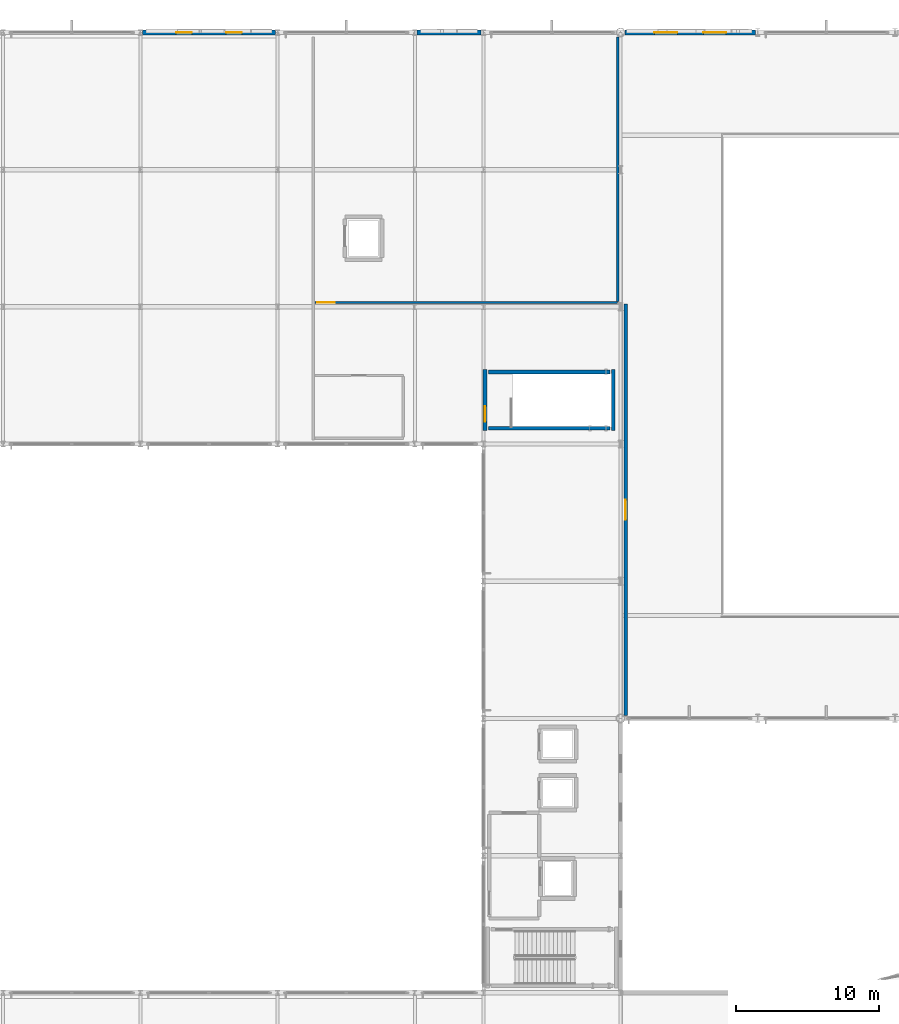
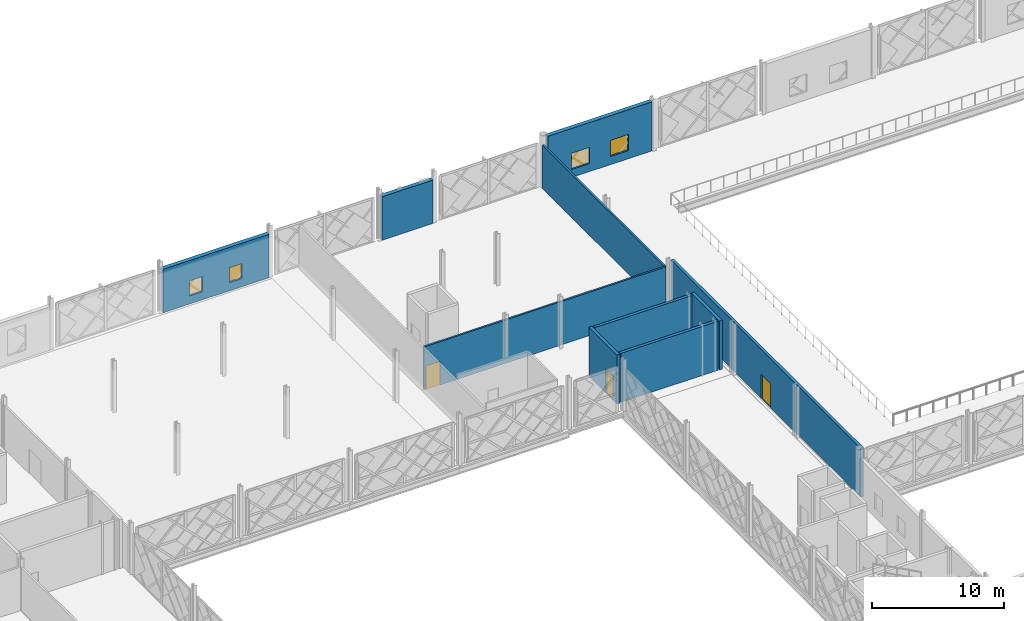
# One storey, part 51 of 77: 10 walls, 4 windows, 3 doors, 7 openings.
"""IFC4 building model written with IfcOpenShell, lengths in metres."""

from ifc_helpers import new_model, si_unit, direction, frame, frame_2d, origin, place, context, subcontext, project, spatial, rectangle, extrude, material, layer, layer_set, type_object, element, fill, save


model = new_model("IFC4")

# Units and contexts
model_context = context("Model", 3, precision=1e-05, world=origin(), true_north=direction((0.0, 1.0)))
body_context = subcontext(model_context, "Body", "Model", "MODEL_VIEW")
ifc_project = project(units=[si_unit("LENGTHUNIT", "METRE"), si_unit("AREAUNIT", "SQUARE_METRE"), si_unit("VOLUMEUNIT", "CUBIC_METRE"), si_unit("PLANEANGLEUNIT", "RADIAN"), si_unit("MASSUNIT", "GRAM", prefix="KILO")], contexts=[model_context])

# Site, building, storey
site_placement = place(None, origin())
site = spatial("IfcSite", under=ifc_project, at=site_placement, CompositionType="ELEMENT")
building_placement = place(site_placement, origin())
building = spatial("IfcBuilding", under=site, at=building_placement, Name="Zevrakil Square Congress Hotel", CompositionType="ELEMENT")
storey_placement = place(building_placement, frame((0.0, 0.0, 9.89990234375)))
storey = spatial("IfcBuildingStorey", under=building, at=storey_placement, Name="L03", CompositionType="ELEMENT", Elevation=9.89990234375)

# Wall, opening, door
ifc_material_1 = material(Name="Concrete C35/45", Category="concrete")
ifc_layer_1 = layer(ifc_material_1, 0.239990234375)
ifc_layer_set_1 = layer_set([ifc_layer_1], Name="Concrete C35/45")
wall_type_1 = type_object("IfcWallType", Name="WAL-COMP-240", PredefinedType="SOLIDWALL", material=ifc_layer_set_1)
wall_1_placement = place(storey_placement, frame((117.949951171875, 65.0, 0.0), z_axis=(0.0, 0.0, 1.0), x_axis=(0.0, 1.0, 0.0)))
wall_1 = element("IfcWall", 1, at=wall_1_placement, inside=storey, type_object=wall_type_1, Name="L03 interior partition PW-L03-0237", PredefinedType="SOLIDWALL", context=body_context, shape_type="SweptSolid", body=[
    extrude(rectangle(XDim=28.800048828125, YDim=0.239990234375, at=frame_2d((14.39990234375, 0.0))), origin(), (0.0, 0.0, 1.0), 4.5400390625),
])
opening_1_placement = place(wall_1_placement, frame((13.699951171875, 0.0, 0.0)))
opening_1 = element("IfcOpeningElement", 2, at=opening_1_placement, cuts=wall_1, Name="Opening ID-09", PredefinedType="OPENING", context=body_context, shape_type="SweptSolid", body=[
    extrude(rectangle(XDim=1.39990234375, YDim=2.199951171875, at=frame_2d((0.699951171875, 1.10009765625))), frame((0.0, 0.1298828125, 0.0), z_axis=(0.0, -1.0, 0.0), x_axis=(1.0, 0.0, 0.0)), (0.0, 0.0, 1.0), 0.260009765625),
])
ifc_material_2 = material(Name="Steel S355 Louvred Plant Fire Door", Category="steel")
door_type_1 = type_object("IfcDoorType", Name="DOR-PLANT-140", OperationType="NOTDEFINED", PredefinedType="DOOR", material=ifc_material_2)
door_1_placement = place(opening_1_placement, origin())
door_1 = element("IfcDoor", 3, at=door_1_placement, inside=storey, type_object=door_type_1, Name="L03 interior door 101", OperationType="SINGLE_SWING_LEFT", OverallHeight=2.199951171875, OverallWidth=1.39990234375, PredefinedType="DOOR", context=body_context, shape_type="SweptSolid", body=[
    extrude(rectangle(XDim=1.39990234375, YDim=2.199951171875, at=frame_2d((0.699951171875, 1.10009765625))), frame((0.0, 0.02490234375, 0.0), z_axis=(0.0, -1.0, 0.0), x_axis=(1.0, 0.0, 0.0)), (0.0, 0.0, 1.0), 0.050048828125),
])
fill(opening_1, door_1)

ifc_material_3 = material(Name="Gypsum Acoustic Stud Partition")
ifc_layer_2 = layer(ifc_material_3, 0.159912109375)
ifc_layer_set_2 = layer_set([ifc_layer_2], Name="Gypsum Acoustic Stud Partition")
wall_type_2 = type_object("IfcWallType", Name="WAL-CORR-160", PredefinedType="PARTITIONING", material=ifc_layer_set_2)
wall_2_placement = place(storey_placement, frame((96.199951171875, 93.89990234375, 0.0), z_axis=(0.0, 0.0, 1.0), x_axis=(1.0, 0.0, 0.0)))
wall_2 = element("IfcWall", 4, at=wall_2_placement, inside=storey, type_object=wall_type_2, Name="L03 interior partition PW-L03-0232", PredefinedType="PARTITIONING", context=body_context, shape_type="SweptSolid", body=[
    extrude(rectangle(XDim=21.199951171875, YDim=0.159912109375, at=frame_2d((10.60009765625, 0.0))), origin(), (0.0, 0.0, 1.0), 4.025146484375),
])
opening_2_placement = place(wall_2_placement, frame((0.159912109375, 0.0, 0.0)))
opening_2 = element("IfcOpeningElement", 5, at=opening_2_placement, cuts=wall_2, Name="Opening ID-18", PredefinedType="OPENING", context=body_context, shape_type="SweptSolid", body=[
    extrude(rectangle(XDim=1.25, YDim=2.219970703125, at=frame_2d((0.625, 1.10986328125))), frame((0.0, 0.08984375, 0.0), z_axis=(0.0, -1.0, 0.0), x_axis=(1.0, 0.0, 0.0)), (0.0, 0.0, 1.0), 0.179931640625),
])
ifc_material_4 = material(Name="Acoustic Timber Fire Door", Category="wood")
door_type_2 = type_object("IfcDoorType", Name="DOR-INT-V08", OperationType="NOTDEFINED", PredefinedType="DOOR", material=ifc_material_4)
door_2_placement = place(opening_2_placement, origin())
door_2 = element("IfcDoor", 6, at=door_2_placement, inside=storey, type_object=door_type_2, Name="L03 interior door 99", OperationType="SINGLE_SWING_LEFT", OverallHeight=2.219970703125, OverallWidth=1.25, PredefinedType="DOOR", context=body_context, shape_type="SweptSolid", body=[
    extrude(rectangle(XDim=1.25, YDim=2.219970703125, at=frame_2d((0.625, 1.10986328125))), frame((0.0, 0.02490234375, 0.0), z_axis=(0.0, -1.0, 0.0), x_axis=(1.0, 0.0, 0.0)), (0.0, 0.0, 1.0), 0.050048828125),
])
fill(opening_2, door_2)

# Wall
wall_3_placement = place(storey_placement, frame((117.39990234375, 93.985107421875, 0.0), z_axis=(0.0, 0.0, 1.0), x_axis=(0.0, 1.0, 0.0)))
element("IfcWall", 7, at=wall_3_placement, inside=storey, type_object=wall_type_2, Name="L03 interior partition PW-L03-0233", PredefinedType="PARTITIONING", context=body_context, shape_type="SweptSolid", body=[
    extrude(rectangle(XDim=18.510009765625, YDim=0.159912109375, at=frame_2d((9.2548828125, 0.0))), origin(), (0.0, 0.0, 1.0), 4.025146484375),
])

# Wall, openings, windows
ifc_material_5 = material(Name="Precast concrete C40/50", Category="concrete")
ifc_layer_3 = layer(ifc_material_5, 0.360107421875)
ifc_layer_set_3 = layer_set([ifc_layer_3], Name="Precast concrete C40/50")
wall_type_3 = type_object("IfcWallType", Name="WAL-EXT-GRC-360", PredefinedType="SOLIDWALL", material=ifc_layer_set_3)
wall_4_placement = place(storey_placement, frame((84.154052734375, 112.800048828125, 0.0), z_axis=(0.0, 0.0, 1.0), x_axis=(1.0, 0.0, 0.0)))
wall_4 = element("IfcWall", 8, at=wall_4_placement, inside=storey, type_object=wall_type_3, Name="L03 exterior GRC wall EW-L03-0054", PredefinedType="SOLIDWALL", context=body_context, shape_type="SweptSolid", body=[
    extrude(rectangle(XDim=9.2919921875, YDim=0.360107421875, at=frame_2d((4.64599609375, 0.0))), origin(), (0.0, 0.0, 1.0), 4.025146484375),
])
opening_3_placement = place(wall_4_placement, frame((2.347900390625, 0.0, 0.75)))
opening_3 = element("IfcOpeningElement", 9, at=opening_3_placement, cuts=wall_4, Name="Opening WN-01", PredefinedType="OPENING", context=body_context, shape_type="SweptSolid", body=[
    extrude(rectangle(XDim=1.10009765625, YDim=1.39990234375, at=frame_2d((0.550048828125, 0.699951171875))), frame((0.0, 0.18994140625, 0.0), z_axis=(0.0, -1.0, 0.0), x_axis=(1.0, 0.0, 0.0)), (0.0, 0.0, 1.0), 0.380126953125),
])
opening_4_placement = place(wall_4_placement, frame((5.843994140625, 0.0, 0.75)))
opening_4 = element("IfcOpeningElement", 10, at=opening_4_placement, cuts=wall_4, Name="Opening WN-01", PredefinedType="OPENING", context=body_context, shape_type="SweptSolid", body=[
    extrude(rectangle(XDim=1.10009765625, YDim=1.39990234375, at=frame_2d((0.550048828125, 0.699951171875))), frame((0.0, 0.18994140625, 0.0), z_axis=(0.0, -1.0, 0.0), x_axis=(1.0, 0.0, 0.0)), (0.0, 0.0, 1.0), 0.380126953125),
])
ifc_material_6 = material(Name="Low-E Solar Control Double Glazing", Category="glass")
window_type_1 = type_object("IfcWindowType", Name="WIN-EXT-01", PartitioningType="SINGLE_PANEL", PredefinedType="WINDOW", material=ifc_material_6)
window_1_placement = place(opening_3_placement, origin())
window_1 = element("IfcWindow", 11, at=window_1_placement, inside=storey, type_object=window_type_1, Name="L03 low-E solar window 45", OverallHeight=1.39990234375, OverallWidth=1.10009765625, PartitioningType="SINGLE_PANEL", PredefinedType="WINDOW", context=body_context, shape_type="SweptSolid", body=[
    extrude(rectangle(XDim=1.10009765625, YDim=1.39990234375, at=frame_2d((0.550048828125, 0.699951171875))), frame((0.0, 0.030029296875, 0.0), z_axis=(0.0, -1.0, 0.0), x_axis=(1.0, 0.0, 0.0)), (0.0, 0.0, 1.0), 0.06005859375),
])
fill(opening_3, window_1)
window_2_placement = place(opening_4_placement, origin())
window_2 = element("IfcWindow", 12, at=window_2_placement, inside=storey, type_object=window_type_1, Name="L03 low-E solar window 46", OverallHeight=1.39990234375, OverallWidth=1.10009765625, PartitioningType="SINGLE_PANEL", PredefinedType="WINDOW", context=body_context, shape_type="SweptSolid", body=[
    extrude(rectangle(XDim=1.10009765625, YDim=1.39990234375, at=frame_2d((0.550048828125, 0.699951171875))), frame((0.0, 0.030029296875, 0.0), z_axis=(0.0, -1.0, 0.0), x_axis=(1.0, 0.0, 0.0)), (0.0, 0.0, 1.0), 0.06005859375),
])
fill(opening_4, window_2)

# Wall
wall_5_placement = place(storey_placement, frame((103.35400390625, 112.800048828125, 0.0), z_axis=(0.0, 0.0, 1.0), x_axis=(1.0, 0.0, 0.0)))
element("IfcWall", 13, at=wall_5_placement, inside=storey, type_object=wall_type_3, Name="L03 exterior GRC wall EW-L03-0058", PredefinedType="SOLIDWALL", context=body_context, shape_type="SweptSolid", body=[
    extrude(rectangle(XDim=4.491943359375, YDim=0.360107421875, at=frame_2d((2.24609375, 0.0))), origin(), (0.0, 0.0, 1.0), 4.025146484375),
])

# Wall, openings, windows
wall_6_placement = place(storey_placement, frame((117.908935546875, 112.800048828125, 0.0), z_axis=(0.0, 0.0, 1.0), x_axis=(1.0, 0.0, 0.0)))
wall_6 = element("IfcWall", 14, at=wall_6_placement, inside=storey, type_object=wall_type_3, Name="L03 exterior GRC wall EW-L03-0062", PredefinedType="SOLIDWALL", context=body_context, shape_type="SweptSolid", body=[
    extrude(rectangle(XDim=9.136962890625, YDim=0.360107421875, at=frame_2d((4.568359375, 0.0))), origin(), (0.0, 0.0, 1.0), 4.5400390625),
])
opening_5_placement = place(wall_6_placement, frame((2.059326171875, 0.0, 0.75)))
opening_5 = element("IfcOpeningElement", 15, at=opening_5_placement, cuts=wall_6, Name="Opening WN-09", PredefinedType="OPENING", context=body_context, shape_type="SweptSolid", body=[
    extrude(rectangle(XDim=1.60009765625, YDim=1.5, at=frame_2d((0.800048828125, 0.75))), frame((0.0, 0.18994140625, 0.0), z_axis=(0.0, -1.0, 0.0), x_axis=(1.0, 0.0, 0.0)), (0.0, 0.0, 1.0), 0.380126953125),
])
opening_6_placement = place(wall_6_placement, frame((5.477783203125, 0.0, 0.75)))
opening_6 = element("IfcOpeningElement", 16, at=opening_6_placement, cuts=wall_6, Name="Opening WN-09", PredefinedType="OPENING", context=body_context, shape_type="SweptSolid", body=[
    extrude(rectangle(XDim=1.60009765625, YDim=1.5, at=frame_2d((0.800048828125, 0.75))), frame((0.0, 0.18994140625, 0.0), z_axis=(0.0, -1.0, 0.0), x_axis=(1.0, 0.0, 0.0)), (0.0, 0.0, 1.0), 0.380126953125),
])
ifc_material_7 = material(Name="Low-E Solar Control Double Glazing", Category="glass")
window_type_2 = type_object("IfcWindowType", Name="WIN-EXT-09", PartitioningType="SINGLE_PANEL", PredefinedType="WINDOW", material=ifc_material_7)
window_3_placement = place(opening_5_placement, origin())
window_3 = element("IfcWindow", 17, at=window_3_placement, inside=storey, type_object=window_type_2, Name="L03 low-E solar window 53", OverallHeight=1.5, OverallWidth=1.60009765625, PartitioningType="SINGLE_PANEL", PredefinedType="WINDOW", context=body_context, shape_type="SweptSolid", body=[
    extrude(rectangle(XDim=1.60009765625, YDim=1.5, at=frame_2d((0.800048828125, 0.75))), frame((0.0, 0.030029296875, 0.0), z_axis=(0.0, -1.0, 0.0), x_axis=(1.0, 0.0, 0.0)), (0.0, 0.0, 1.0), 0.06005859375),
])
fill(opening_5, window_3)
window_4_placement = place(opening_6_placement, origin())
window_4 = element("IfcWindow", 18, at=window_4_placement, inside=storey, type_object=window_type_2, Name="L03 low-E solar window 54", OverallHeight=1.5, OverallWidth=1.60009765625, PartitioningType="SINGLE_PANEL", PredefinedType="WINDOW", context=body_context, shape_type="SweptSolid", body=[
    extrude(rectangle(XDim=1.60009765625, YDim=1.5, at=frame_2d((0.800048828125, 0.75))), frame((0.0, 0.030029296875, 0.0), z_axis=(0.0, -1.0, 0.0), x_axis=(1.0, 0.0, 0.0)), (0.0, 0.0, 1.0), 0.06005859375),
])
fill(opening_6, window_4)

# Wall, opening, door
ifc_material_8 = material(Name="Concrete C40/50", Category="concrete")
ifc_layer_4 = layer(ifc_material_8, 0.260009765625)
ifc_layer_set_4 = layer_set([ifc_layer_4], Name="Concrete C40/50")
wall_type_4 = type_object("IfcWallType", Name="WAL-SHAFT-260", PredefinedType="SHEAR", material=ifc_layer_set_4)
wall_7_placement = place(storey_placement, frame((108.10498046875, 84.93994140625, 0.0), z_axis=(0.0, 0.0, 1.0), x_axis=(0.0, 1.0, 0.0)))
wall_7 = element("IfcWall", 19, at=wall_7_placement, inside=storey, type_object=wall_type_4, Name="L03 ST06 stair shaft W wall", PredefinedType="SHEAR", context=body_context, shape_type="SweptSolid", body=[
    extrude(rectangle(XDim=4.27001953125, YDim=0.260009765625, at=frame_2d((2.135009765625, 0.0))), origin(), (0.0, 0.0, 1.0), 4.5400390625),
])
opening_7_placement = place(wall_7_placement, frame((0.610107421875, 0.0, 0.0)))
opening_7 = element("IfcOpeningElement", 20, at=opening_7_placement, cuts=wall_7, Name="Opening SD-ST06", PredefinedType="OPENING", context=body_context, shape_type="SweptSolid", body=[
    extrude(rectangle(XDim=1.10009765625, YDim=2.199951171875, at=frame_2d((0.550048828125, 1.10009765625))), frame((0.0, 0.14013671875, 0.0), z_axis=(0.0, -1.0, 0.0), x_axis=(1.0, 0.0, 0.0)), (0.0, 0.0, 1.0), 0.280029296875),
])
ifc_material_9 = material(Name="Steel S355 Fire-Rated Door", Category="steel")
door_type_3 = type_object("IfcDoorType", Name="DOR-STAIR-FD90-110", OperationType="NOTDEFINED", PredefinedType="DOOR", material=ifc_material_9)
door_3_placement = place(opening_7_placement, origin())
door_3 = element("IfcDoor", 21, at=door_3_placement, inside=storey, type_object=door_type_3, Name="L03 ST06 protected stair fire door", OperationType="SINGLE_SWING_LEFT", OverallHeight=2.199951171875, OverallWidth=1.10009765625, PredefinedType="DOOR", context=body_context, shape_type="SweptSolid", body=[
    extrude(rectangle(XDim=1.10009765625, YDim=2.199951171875, at=frame_2d((0.550048828125, 1.10009765625))), frame((0.0, 0.02490234375, 0.0), z_axis=(0.0, -1.0, 0.0), x_axis=(1.0, 0.0, 0.0)), (0.0, 0.0, 1.0), 0.050048828125),
])
fill(opening_7, door_3)

# Walls
wall_8_placement = place(storey_placement, frame((117.094970703125, 84.93994140625, 0.0), z_axis=(0.0, 0.0, 1.0), x_axis=(0.0, 1.0, 0.0)))
element("IfcWall", 22, at=wall_8_placement, inside=storey, type_object=wall_type_4, Name="L03 ST06 stair shaft E wall", PredefinedType="SHEAR", context=body_context, shape_type="SweptSolid", body=[
    extrude(rectangle(XDim=4.27001953125, YDim=0.260009765625, at=frame_2d((2.135009765625, 0.0))), origin(), (0.0, 0.0, 1.0), 4.5400390625),
])
for number, where, z_axis, x_axis, name in (
    (23, (108.340087890625, 85.10498046875, 0.0), (0.0, 0.0, 1.0), (1.0, 0.0, 0.0), "L03 ST06 stair shaft S wall"),
    (24, (108.340087890625, 89.044921875, 0.0), (0.0, 0.0, 1.0), (1.0, 0.0, 0.0), "L03 ST06 stair shaft N wall"),
):
    element("IfcWall", number, at=place(storey_placement, frame(where, z_axis=z_axis, x_axis=x_axis)), inside=storey, type_object=wall_type_4, Name=name, PredefinedType="SHEAR", context=body_context, shape_type="SweptSolid", body=[
        extrude(rectangle(XDim=8.52001953125, YDim=0.260009765625, at=frame_2d((4.260009765625, 0.0))), origin(), (0.0, 0.0, 1.0), 4.5400390625),
    ])

save(model, "model.ifc")
